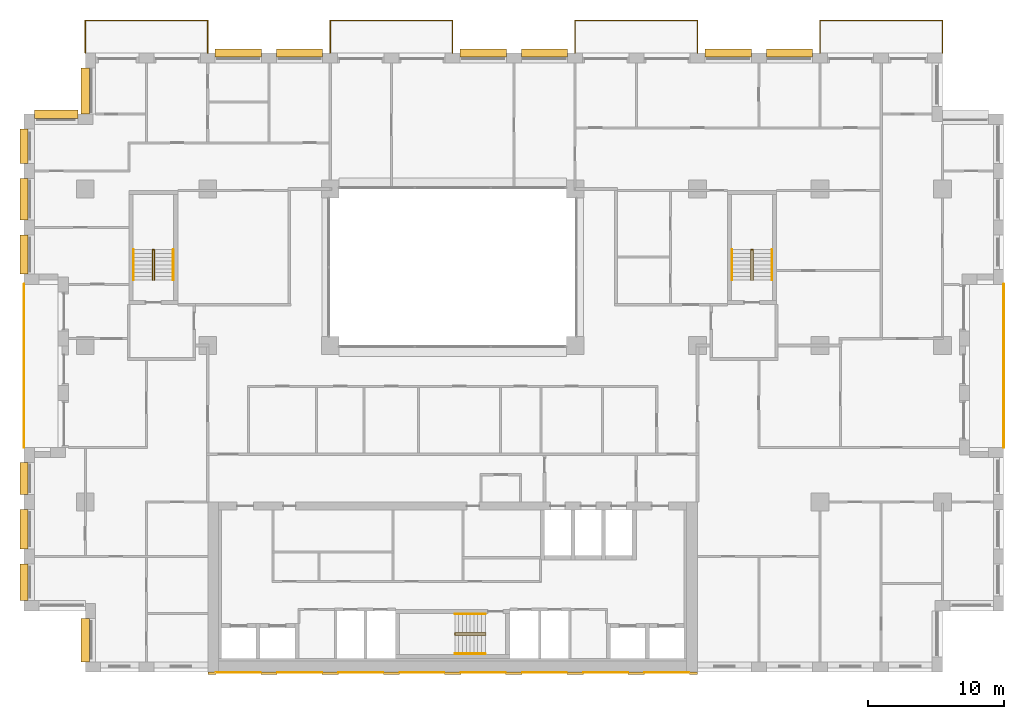
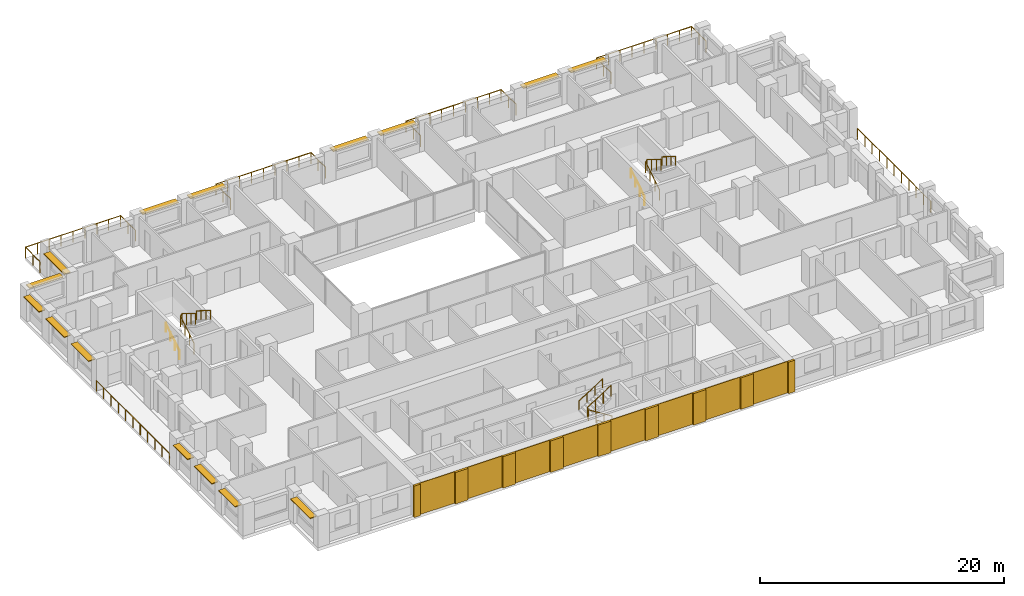
# One storey, part 16 of 17: 17 coverings, 15 railings, 15 shading devices.
"""IFC4 building model written with IfcOpenShell, lengths in metres."""

from ifc_helpers import new_model, si_unit, direction, frame, origin, origin_2d, place, context, subcontext, project, spatial, rectangle, circle, extrude, material, layer, layer_set, type_object, element, save


model = new_model("IFC4")

# Units and contexts
model_context = context("Model", 3, precision=1e-05, world=origin(), true_north=direction((0.0, 1.0)))
body_context = subcontext(model_context, "Body", "Model", "MODEL_VIEW")
ifc_project = project(units=[si_unit("LENGTHUNIT", "METRE"), si_unit("AREAUNIT", "SQUARE_METRE"), si_unit("VOLUMEUNIT", "CUBIC_METRE"), si_unit("PLANEANGLEUNIT", "RADIAN"), si_unit("MASSUNIT", "GRAM", prefix="KILO")], contexts=[model_context])

# Site, building, storey
site_placement = place(None, origin())
site = spatial("IfcSite", under=ifc_project, at=site_placement, CompositionType="ELEMENT")
building_placement = place(site_placement, origin())
building = spatial("IfcBuilding", under=site, at=building_placement, Name="Brigalow Station Residences", CompositionType="ELEMENT")
storey_placement = place(building_placement, frame((0.0, 0.0, 96.14990234375)))
storey = spatial("IfcBuildingStorey", under=building, at=storey_placement, Name="L27", CompositionType="ELEMENT", Elevation=96.14990234375)

# Railings
ifc_material_1 = material(Name="Stainless steel balustrade with laminated glass infill", Category="steel")
railing_type_1 = type_object("IfcRailingType", Name="BALCONY GUARD 1100", PredefinedType="GUARDRAIL", material=ifc_material_1)
railing_1_placement = place(storey_placement, frame((76.5, 16.5, -0.039794921875)))
element("IfcRailing", 1, at=railing_1_placement, inside=storey, type_object=railing_type_1, Name="L27/balcony-guard/1", PredefinedType="GUARDRAIL", context=body_context, shape_type="SweptSolid", body=[
    extrude(circle(Radius=0.02392578125, at=origin_2d()), frame((0.0, 0.0, 1.076171875), z_axis=(0.0, 1.0, 0.0), x_axis=(-1.0, 0.0, 0.0)), (0.0, 0.0, 1.0), 12.0),
    extrude(circle(Radius=0.02099609375, at=origin_2d()), origin(), (0.0, 0.0, 1.0), 1.052001953125),
    extrude(circle(Radius=0.02099609375, at=origin_2d()), frame((0.0, 1.199951171875, 0.0)), (0.0, 0.0, 1.0), 1.052001953125),
    extrude(circle(Radius=0.02099609375, at=origin_2d()), frame((0.0, 2.39990234375, 0.0)), (0.0, 0.0, 1.0), 1.052001953125),
    extrude(circle(Radius=0.02099609375, at=origin_2d()), frame((0.0, 3.60009765625, 0.0)), (0.0, 0.0, 1.0), 1.052001953125),
    extrude(circle(Radius=0.02099609375, at=origin_2d()), frame((0.0, 4.800048828125, 0.0)), (0.0, 0.0, 1.0), 1.052001953125),
    extrude(circle(Radius=0.02099609375, at=origin_2d()), frame((0.0, 6.0, 0.0)), (0.0, 0.0, 1.0), 1.052001953125),
    extrude(circle(Radius=0.02099609375, at=origin_2d()), frame((0.0, 7.199951171875, 0.0)), (0.0, 0.0, 1.0), 1.052001953125),
    extrude(circle(Radius=0.02099609375, at=origin_2d()), frame((0.0, 8.39990234375, 0.0)), (0.0, 0.0, 1.0), 1.052001953125),
    extrude(circle(Radius=0.02099609375, at=origin_2d()), frame((0.0, 9.60009765625, 0.0)), (0.0, 0.0, 1.0), 1.052001953125),
    extrude(circle(Radius=0.02099609375, at=origin_2d()), frame((0.0, 10.800048828125, 0.0)), (0.0, 0.0, 1.0), 1.052001953125),
    extrude(circle(Radius=0.02099609375, at=origin_2d()), frame((0.0, 12.0, 0.0)), (0.0, 0.0, 1.0), 1.052001953125),
])
railing_2_placement = place(storey_placement, frame((72.0, 45.5, -0.039794921875)))
element("IfcRailing", 2, at=railing_2_placement, inside=storey, type_object=railing_type_1, Name="L27/balcony-guard/2", PredefinedType="GUARDRAIL", context=body_context, shape_type="SweptSolid", body=[
    extrude(circle(Radius=0.02392578125, at=origin_2d()), frame((0.0, 0.0, 1.076171875), z_axis=(0.0, 1.0, 0.0), x_axis=(-1.0, 0.0, 0.0)), (0.0, 0.0, 1.0), 2.39990234375),
    extrude(circle(Radius=0.02392578125, at=origin_2d()), frame((0.0, 2.39990234375, 1.076171875), z_axis=(-1.0, 0.0, 0.0), x_axis=(0.0, -1.0, 0.0)), (0.0, 0.0, 1.0), 9.0),
    extrude(circle(Radius=0.02392578125, at=origin_2d()), frame((-9.0, 2.39990234375, 1.076171875), z_axis=(0.0, -1.0, 0.0), x_axis=(1.0, 0.0, 0.0)), (0.0, 0.0, 1.0), 2.39990234375),
    extrude(circle(Radius=0.02099609375, at=origin_2d()), origin(), (0.0, 0.0, 1.0), 1.052001953125),
    extrude(circle(Radius=0.02099609375, at=origin_2d()), frame((0.0, 1.199951171875, 0.0)), (0.0, 0.0, 1.0), 1.052001953125),
    extrude(circle(Radius=0.02099609375, at=origin_2d()), frame((0.0, 2.39990234375, 0.0)), (0.0, 0.0, 1.0), 1.052001953125),
    extrude(circle(Radius=0.02099609375, at=origin_2d()), frame((-1.125, 2.39990234375, 0.0)), (0.0, 0.0, 1.0), 1.052001953125),
    extrude(circle(Radius=0.02099609375, at=origin_2d()), frame((-2.25, 2.39990234375, 0.0)), (0.0, 0.0, 1.0), 1.052001953125),
    extrude(circle(Radius=0.02099609375, at=origin_2d()), frame((-3.375, 2.39990234375, 0.0)), (0.0, 0.0, 1.0), 1.052001953125),
    extrude(circle(Radius=0.02099609375, at=origin_2d()), frame((-4.5, 2.39990234375, 0.0)), (0.0, 0.0, 1.0), 1.052001953125),
    extrude(circle(Radius=0.02099609375, at=origin_2d()), frame((-5.625, 2.39990234375, 0.0)), (0.0, 0.0, 1.0), 1.052001953125),
    extrude(circle(Radius=0.02099609375, at=origin_2d()), frame((-6.75, 2.39990234375, 0.0)), (0.0, 0.0, 1.0), 1.052001953125),
    extrude(circle(Radius=0.02099609375, at=origin_2d()), frame((-7.875, 2.39990234375, 0.0)), (0.0, 0.0, 1.0), 1.052001953125),
    extrude(circle(Radius=0.02099609375, at=origin_2d()), frame((-9.0, 2.39990234375, 0.0)), (0.0, 0.0, 1.0), 1.052001953125),
    extrude(circle(Radius=0.02099609375, at=origin_2d()), frame((-9.0, 1.199951171875, 0.0)), (0.0, 0.0, 1.0), 1.052001953125),
    extrude(circle(Radius=0.02099609375, at=origin_2d()), frame((-9.0, 0.0, 0.0)), (0.0, 0.0, 1.0), 1.052001953125),
])
railing_3_placement = place(storey_placement, frame((54.0, 45.5, -0.039794921875)))
element("IfcRailing", 3, at=railing_3_placement, inside=storey, type_object=railing_type_1, Name="L27/balcony-guard/3", PredefinedType="GUARDRAIL", context=body_context, shape_type="SweptSolid", body=[
    extrude(circle(Radius=0.02392578125, at=origin_2d()), frame((0.0, 0.0, 1.076171875), z_axis=(0.0, 1.0, 0.0), x_axis=(-1.0, 0.0, 0.0)), (0.0, 0.0, 1.0), 2.39990234375),
    extrude(circle(Radius=0.02392578125, at=origin_2d()), frame((0.0, 2.39990234375, 1.076171875), z_axis=(-1.0, 0.0, 0.0), x_axis=(0.0, -1.0, 0.0)), (0.0, 0.0, 1.0), 9.0),
    extrude(circle(Radius=0.02392578125, at=origin_2d()), frame((-9.0, 2.39990234375, 1.076171875), z_axis=(0.0, -1.0, 0.0), x_axis=(1.0, 0.0, 0.0)), (0.0, 0.0, 1.0), 2.39990234375),
    extrude(circle(Radius=0.02099609375, at=origin_2d()), origin(), (0.0, 0.0, 1.0), 1.052001953125),
    extrude(circle(Radius=0.02099609375, at=origin_2d()), frame((0.0, 1.199951171875, 0.0)), (0.0, 0.0, 1.0), 1.052001953125),
    extrude(circle(Radius=0.02099609375, at=origin_2d()), frame((0.0, 2.39990234375, 0.0)), (0.0, 0.0, 1.0), 1.052001953125),
    extrude(circle(Radius=0.02099609375, at=origin_2d()), frame((-1.125, 2.39990234375, 0.0)), (0.0, 0.0, 1.0), 1.052001953125),
    extrude(circle(Radius=0.02099609375, at=origin_2d()), frame((-2.25, 2.39990234375, 0.0)), (0.0, 0.0, 1.0), 1.052001953125),
    extrude(circle(Radius=0.02099609375, at=origin_2d()), frame((-3.375, 2.39990234375, 0.0)), (0.0, 0.0, 1.0), 1.052001953125),
    extrude(circle(Radius=0.02099609375, at=origin_2d()), frame((-4.5, 2.39990234375, 0.0)), (0.0, 0.0, 1.0), 1.052001953125),
    extrude(circle(Radius=0.02099609375, at=origin_2d()), frame((-5.625, 2.39990234375, 0.0)), (0.0, 0.0, 1.0), 1.052001953125),
    extrude(circle(Radius=0.02099609375, at=origin_2d()), frame((-6.75, 2.39990234375, 0.0)), (0.0, 0.0, 1.0), 1.052001953125),
    extrude(circle(Radius=0.02099609375, at=origin_2d()), frame((-7.875, 2.39990234375, 0.0)), (0.0, 0.0, 1.0), 1.052001953125),
    extrude(circle(Radius=0.02099609375, at=origin_2d()), frame((-9.0, 2.39990234375, 0.0)), (0.0, 0.0, 1.0), 1.052001953125),
    extrude(circle(Radius=0.02099609375, at=origin_2d()), frame((-9.0, 1.199951171875, 0.0)), (0.0, 0.0, 1.0), 1.052001953125),
    extrude(circle(Radius=0.02099609375, at=origin_2d()), frame((-9.0, 0.0, 0.0)), (0.0, 0.0, 1.0), 1.052001953125),
])
railing_4_placement = place(storey_placement, frame((36.0, 45.5, -0.039794921875)))
element("IfcRailing", 4, at=railing_4_placement, inside=storey, type_object=railing_type_1, Name="L27/balcony-guard/4", PredefinedType="GUARDRAIL", context=body_context, shape_type="SweptSolid", body=[
    extrude(circle(Radius=0.02392578125, at=origin_2d()), frame((0.0, 0.0, 1.076171875), z_axis=(0.0, 1.0, 0.0), x_axis=(-1.0, 0.0, 0.0)), (0.0, 0.0, 1.0), 2.39990234375),
    extrude(circle(Radius=0.02392578125, at=origin_2d()), frame((0.0, 2.39990234375, 1.076171875), z_axis=(-1.0, 0.0, 0.0), x_axis=(0.0, -1.0, 0.0)), (0.0, 0.0, 1.0), 9.0),
    extrude(circle(Radius=0.02392578125, at=origin_2d()), frame((-9.0, 2.39990234375, 1.076171875), z_axis=(0.0, -1.0, 0.0), x_axis=(1.0, 0.0, 0.0)), (0.0, 0.0, 1.0), 2.39990234375),
    extrude(circle(Radius=0.02099609375, at=origin_2d()), origin(), (0.0, 0.0, 1.0), 1.052001953125),
    extrude(circle(Radius=0.02099609375, at=origin_2d()), frame((0.0, 1.199951171875, 0.0)), (0.0, 0.0, 1.0), 1.052001953125),
    extrude(circle(Radius=0.02099609375, at=origin_2d()), frame((0.0, 2.39990234375, 0.0)), (0.0, 0.0, 1.0), 1.052001953125),
    extrude(circle(Radius=0.02099609375, at=origin_2d()), frame((-1.125, 2.39990234375, 0.0)), (0.0, 0.0, 1.0), 1.052001953125),
    extrude(circle(Radius=0.02099609375, at=origin_2d()), frame((-2.25, 2.39990234375, 0.0)), (0.0, 0.0, 1.0), 1.052001953125),
    extrude(circle(Radius=0.02099609375, at=origin_2d()), frame((-3.375, 2.39990234375, 0.0)), (0.0, 0.0, 1.0), 1.052001953125),
    extrude(circle(Radius=0.02099609375, at=origin_2d()), frame((-4.5, 2.39990234375, 0.0)), (0.0, 0.0, 1.0), 1.052001953125),
    extrude(circle(Radius=0.02099609375, at=origin_2d()), frame((-5.625, 2.39990234375, 0.0)), (0.0, 0.0, 1.0), 1.052001953125),
    extrude(circle(Radius=0.02099609375, at=origin_2d()), frame((-6.75, 2.39990234375, 0.0)), (0.0, 0.0, 1.0), 1.052001953125),
    extrude(circle(Radius=0.02099609375, at=origin_2d()), frame((-7.875, 2.39990234375, 0.0)), (0.0, 0.0, 1.0), 1.052001953125),
    extrude(circle(Radius=0.02099609375, at=origin_2d()), frame((-9.0, 2.39990234375, 0.0)), (0.0, 0.0, 1.0), 1.052001953125),
    extrude(circle(Radius=0.02099609375, at=origin_2d()), frame((-9.0, 1.199951171875, 0.0)), (0.0, 0.0, 1.0), 1.052001953125),
    extrude(circle(Radius=0.02099609375, at=origin_2d()), frame((-9.0, 0.0, 0.0)), (0.0, 0.0, 1.0), 1.052001953125),
])
railing_5_placement = place(storey_placement, frame((18.0, 45.5, -0.039794921875)))
element("IfcRailing", 5, at=railing_5_placement, inside=storey, type_object=railing_type_1, Name="L27/balcony-guard/5", PredefinedType="GUARDRAIL", context=body_context, shape_type="SweptSolid", body=[
    extrude(circle(Radius=0.02392578125, at=origin_2d()), frame((0.0, 0.0, 1.076171875), z_axis=(0.0, 1.0, 0.0), x_axis=(-1.0, 0.0, 0.0)), (0.0, 0.0, 1.0), 2.39990234375),
    extrude(circle(Radius=0.02392578125, at=origin_2d()), frame((0.0, 2.39990234375, 1.076171875), z_axis=(-1.0, 0.0, 0.0), x_axis=(0.0, -1.0, 0.0)), (0.0, 0.0, 1.0), 9.0),
    extrude(circle(Radius=0.02392578125, at=origin_2d()), frame((-9.0, 2.39990234375, 1.076171875), z_axis=(0.0, -1.0, 0.0), x_axis=(1.0, 0.0, 0.0)), (0.0, 0.0, 1.0), 2.39990234375),
    extrude(circle(Radius=0.02099609375, at=origin_2d()), origin(), (0.0, 0.0, 1.0), 1.052001953125),
    extrude(circle(Radius=0.02099609375, at=origin_2d()), frame((0.0, 1.199951171875, 0.0)), (0.0, 0.0, 1.0), 1.052001953125),
    extrude(circle(Radius=0.02099609375, at=origin_2d()), frame((0.0, 2.39990234375, 0.0)), (0.0, 0.0, 1.0), 1.052001953125),
    extrude(circle(Radius=0.02099609375, at=origin_2d()), frame((-1.125, 2.39990234375, 0.0)), (0.0, 0.0, 1.0), 1.052001953125),
    extrude(circle(Radius=0.02099609375, at=origin_2d()), frame((-2.25, 2.39990234375, 0.0)), (0.0, 0.0, 1.0), 1.052001953125),
    extrude(circle(Radius=0.02099609375, at=origin_2d()), frame((-3.375, 2.39990234375, 0.0)), (0.0, 0.0, 1.0), 1.052001953125),
    extrude(circle(Radius=0.02099609375, at=origin_2d()), frame((-4.5, 2.39990234375, 0.0)), (0.0, 0.0, 1.0), 1.052001953125),
    extrude(circle(Radius=0.02099609375, at=origin_2d()), frame((-5.625, 2.39990234375, 0.0)), (0.0, 0.0, 1.0), 1.052001953125),
    extrude(circle(Radius=0.02099609375, at=origin_2d()), frame((-6.75, 2.39990234375, 0.0)), (0.0, 0.0, 1.0), 1.052001953125),
    extrude(circle(Radius=0.02099609375, at=origin_2d()), frame((-7.875, 2.39990234375, 0.0)), (0.0, 0.0, 1.0), 1.052001953125),
    extrude(circle(Radius=0.02099609375, at=origin_2d()), frame((-9.0, 2.39990234375, 0.0)), (0.0, 0.0, 1.0), 1.052001953125),
    extrude(circle(Radius=0.02099609375, at=origin_2d()), frame((-9.0, 1.199951171875, 0.0)), (0.0, 0.0, 1.0), 1.052001953125),
    extrude(circle(Radius=0.02099609375, at=origin_2d()), frame((-9.0, 0.0, 0.0)), (0.0, 0.0, 1.0), 1.052001953125),
])
railing_6_placement = place(storey_placement, frame((4.5, 28.5, -0.039794921875)))
element("IfcRailing", 6, at=railing_6_placement, inside=storey, type_object=railing_type_1, Name="L27/balcony-guard/6", PredefinedType="GUARDRAIL", context=body_context, shape_type="SweptSolid", body=[
    extrude(circle(Radius=0.02392578125, at=origin_2d()), frame((0.0, 0.0, 1.076171875), z_axis=(0.0, -1.0, 0.0), x_axis=(1.0, 0.0, 0.0)), (0.0, 0.0, 1.0), 12.0),
    extrude(circle(Radius=0.02099609375, at=origin_2d()), origin(), (0.0, 0.0, 1.0), 1.052001953125),
    extrude(circle(Radius=0.02099609375, at=origin_2d()), frame((0.0, -1.199951171875, 0.0)), (0.0, 0.0, 1.0), 1.052001953125),
    extrude(circle(Radius=0.02099609375, at=origin_2d()), frame((0.0, -2.39990234375, 0.0)), (0.0, 0.0, 1.0), 1.052001953125),
    extrude(circle(Radius=0.02099609375, at=origin_2d()), frame((0.0, -3.60009765625, 0.0)), (0.0, 0.0, 1.0), 1.052001953125),
    extrude(circle(Radius=0.02099609375, at=origin_2d()), frame((0.0, -4.800048828125, 0.0)), (0.0, 0.0, 1.0), 1.052001953125),
    extrude(circle(Radius=0.02099609375, at=origin_2d()), frame((0.0, -6.0, 0.0)), (0.0, 0.0, 1.0), 1.052001953125),
    extrude(circle(Radius=0.02099609375, at=origin_2d()), frame((0.0, -7.199951171875, 0.0)), (0.0, 0.0, 1.0), 1.052001953125),
    extrude(circle(Radius=0.02099609375, at=origin_2d()), frame((0.0, -8.39990234375, 0.0)), (0.0, 0.0, 1.0), 1.052001953125),
    extrude(circle(Radius=0.02099609375, at=origin_2d()), frame((0.0, -9.60009765625, 0.0)), (0.0, 0.0, 1.0), 1.052001953125),
    extrude(circle(Radius=0.02099609375, at=origin_2d()), frame((0.0, -10.800048828125, 0.0)), (0.0, 0.0, 1.0), 1.052001953125),
    extrude(circle(Radius=0.02099609375, at=origin_2d()), frame((0.0, -12.0, 0.0)), (0.0, 0.0, 1.0), 1.052001953125),
])

# Coverings
ifc_material_2 = material(Name="Clay brick masonry", Category="masonry")
ifc_layer_1 = layer(ifc_material_2, 0.06005859375)
ifc_layer_set_1 = layer_set([ifc_layer_1], Name="BRICK PANEL FACING 60")
covering_type_1 = type_object("IfcCoveringType", Name="BRICK PANEL FACING 60", PredefinedType="CLADDING", material=ifc_layer_set_1)
for number, where, z_axis, x_axis, name in (
    (7, (20.25, -0.030029296875, 0.000244140625), (0.0, 0.0, 1.0), (1.0, 0.0, 0.0), "L27/rear-facing/panel-1"),
    (8, (24.75, -0.030029296875, 0.000244140625), (0.0, 0.0, 1.0), (1.0, 0.0, 0.0), "L27/rear-facing/panel-2"),
    (9, (29.25, -0.030029296875, 0.000244140625), (0.0, 0.0, 1.0), (1.0, 0.0, 0.0), "L27/rear-facing/panel-3"),
    (10, (33.75, -0.030029296875, 0.000244140625), (0.0, 0.0, 1.0), (1.0, 0.0, 0.0), "L27/rear-facing/panel-4"),
    (11, (38.25, -0.030029296875, 0.000244140625), (0.0, 0.0, 1.0), (1.0, 0.0, 0.0), "L27/rear-facing/panel-5"),
    (12, (42.75, -0.030029296875, 0.000244140625), (0.0, 0.0, 1.0), (1.0, 0.0, 0.0), "L27/rear-facing/panel-6"),
    (13, (47.25, -0.030029296875, 0.000244140625), (0.0, 0.0, 1.0), (1.0, 0.0, 0.0), "L27/rear-facing/panel-7"),
    (14, (51.75, -0.030029296875, 0.000244140625), (0.0, 0.0, 1.0), (1.0, 0.0, 0.0), "L27/rear-facing/panel-8"),
):
    element("IfcCovering", number, at=place(storey_placement, frame(where, z_axis=z_axis, x_axis=x_axis)), inside=storey, type_object=covering_type_1, Name=name, PredefinedType="CLADDING", context=body_context, shape_type="SweptSolid", body=[
        extrude(rectangle(XDim=3.300048828125, YDim=0.06005859375, at=origin_2d()), origin(), (0.0, 0.0, 1.0), 3.14990234375),
    ])
ifc_material_3 = material(Name="Clay brick masonry", Category="masonry")
ifc_layer_2 = layer(ifc_material_3, 0.199951171875)
ifc_layer_set_2 = layer_set([ifc_layer_2], Name="BRICK PIER FACING 200")
covering_type_2 = type_object("IfcCoveringType", Name="BRICK PIER FACING 200", PredefinedType="CLADDING", material=ifc_layer_set_2)
covering_1_placement = place(storey_placement, frame((18.300048828125, -0.10009765625, 0.000244140625), z_axis=(0.0, 0.0, 1.0), x_axis=(1.0, 0.0, 0.0)))
element("IfcCovering", 15, at=covering_1_placement, inside=storey, type_object=covering_type_2, Name="L27/rear-facing/pier-1", PredefinedType="CLADDING", context=body_context, shape_type="SweptSolid", body=[
    extrude(rectangle(XDim=0.60009765625, YDim=0.199951171875, at=origin_2d()), origin(), (0.0, 0.0, 1.0), 3.14990234375),
])
for number, where, z_axis, x_axis, name in (
    (16, (22.5, -0.10009765625, 0.000244140625), (0.0, 0.0, 1.0), (1.0, 0.0, 0.0), "L27/rear-facing/pier-2"),
    (17, (27.0, -0.10009765625, 0.000244140625), (0.0, 0.0, 1.0), (1.0, 0.0, 0.0), "L27/rear-facing/pier-3"),
    (18, (31.5, -0.10009765625, 0.000244140625), (0.0, 0.0, 1.0), (1.0, 0.0, 0.0), "L27/rear-facing/pier-4"),
    (19, (36.0, -0.10009765625, 0.000244140625), (0.0, 0.0, 1.0), (1.0, 0.0, 0.0), "L27/rear-facing/pier-5"),
    (20, (40.5, -0.10009765625, 0.000244140625), (0.0, 0.0, 1.0), (1.0, 0.0, 0.0), "L27/rear-facing/pier-6"),
    (21, (45.0, -0.10009765625, 0.000244140625), (0.0, 0.0, 1.0), (1.0, 0.0, 0.0), "L27/rear-facing/pier-7"),
    (22, (49.5, -0.10009765625, 0.000244140625), (0.0, 0.0, 1.0), (1.0, 0.0, 0.0), "L27/rear-facing/pier-8"),
):
    element("IfcCovering", number, at=place(storey_placement, frame(where, z_axis=z_axis, x_axis=x_axis)), inside=storey, type_object=covering_type_2, Name=name, PredefinedType="CLADDING", context=body_context, shape_type="SweptSolid", body=[
        extrude(rectangle(XDim=1.199951171875, YDim=0.199951171875, at=origin_2d()), origin(), (0.0, 0.0, 1.0), 3.14990234375),
    ])
covering_2_placement = place(storey_placement, frame((53.699951171875, -0.10009765625, 0.000244140625), z_axis=(0.0, 0.0, 1.0), x_axis=(1.0, 0.0, 0.0)))
element("IfcCovering", 23, at=covering_2_placement, inside=storey, type_object=covering_type_2, Name="L27/rear-facing/pier-9", PredefinedType="CLADDING", context=body_context, shape_type="SweptSolid", body=[
    extrude(rectangle(XDim=0.60009765625, YDim=0.199951171875, at=origin_2d()), origin(), (0.0, 0.0, 1.0), 3.14990234375),
])

# Railings
ifc_material_4 = material(Name="Stainless steel balustrade", Category="steel")
railing_type_2 = type_object("IfcRailingType", Name="STAIR GUARD 1100", PredefinedType="GUARDRAIL", material=ifc_material_4)
railing_7_placement = place(storey_placement, frame((38.39990234375, 2.72998046875, 0.175048828125)))
element("IfcRailing", 24, at=railing_7_placement, inside=storey, type_object=railing_type_2, Name="GUARD GR-2", PredefinedType="GUARDRAIL", context=body_context, shape_type="SweptSolid", body=[
    extrude(circle(Radius=0.02392578125, at=origin_2d()), frame((0.0, 0.0, 1.076171875), z_axis=(-0.847972341737, 0.0, 0.530040477369), x_axis=(0.0, -1.0, 0.0)), (0.0, 0.0, 1.0), 2.6416015625),
    extrude(circle(Radius=0.02392578125, at=origin_2d()), frame((-2.239990234375, 0.0, 2.47607421875), z_axis=(0.0, 0.62549206879, 0.780230524833), x_axis=(-1.0, 0.0, 0.0)), (0.0, 0.0, 1.0), 0.22412109375),
    extrude(circle(Radius=0.02392578125, at=origin_2d()), frame((-2.239990234375, 0.14013671875, 2.65087890625), z_axis=(0.847972341737, 0.0, 0.530040477369), x_axis=(0.0, 1.0, 0.0)), (0.0, 0.0, 1.0), 2.6416015625),
    extrude(circle(Radius=0.02099609375, at=origin_2d()), origin(), (0.0, 0.0, 1.0), 1.052001953125),
    extrude(circle(Radius=0.02099609375, at=origin_2d()), frame((-0.74658203125, 0.0, 0.466796875)), (0.0, 0.0, 1.0), 1.052001953125),
    extrude(circle(Radius=0.02099609375, at=origin_2d()), frame((-1.493408203125, 0.0, 0.933349609375)), (0.0, 0.0, 1.0), 1.052001953125),
    extrude(circle(Radius=0.02099609375, at=origin_2d()), frame((-2.239990234375, 0.0, 1.400146484375)), (0.0, 0.0, 1.0), 1.052001953125),
    extrude(circle(Radius=0.02099609375, at=origin_2d()), frame((-2.239990234375, 0.14013671875, 1.574951171875)), (0.0, 0.0, 1.0), 1.052001953125),
    extrude(circle(Radius=0.02099609375, at=origin_2d()), frame((-1.493408203125, 0.14013671875, 2.041748046875)), (0.0, 0.0, 1.0), 1.052001953125),
    extrude(circle(Radius=0.02099609375, at=origin_2d()), frame((-0.74658203125, 0.14013671875, 2.50830078125)), (0.0, 0.0, 1.0), 1.052001953125),
    extrude(circle(Radius=0.02099609375, at=origin_2d()), frame((0.0, 0.14013671875, 2.97509765625)), (0.0, 0.0, 1.0), 1.052001953125),
])
for number, where, name in (
    (25, (13.929931640625, 28.800048828125, 0.175048828125), "GUARD GR-1"),
    (26, (57.929931640625, 28.800048828125, 0.175048828125), "GUARD GR-3"),
):
    element("IfcRailing", number, at=place(storey_placement, frame(where)), inside=storey, type_object=railing_type_2, Name=name, PredefinedType="GUARDRAIL", context=body_context, shape_type="SweptSolid", body=[
        extrude(circle(Radius=0.02392578125, at=origin_2d()), frame((0.0, 0.0, 1.076171875), z_axis=(0.0, 0.847972341737, 0.530040477369), x_axis=(-1.0, 0.0, 0.0)), (0.0, 0.0, 1.0), 2.6416015625),
        extrude(circle(Radius=0.02392578125, at=origin_2d()), frame((0.0, 2.239990234375, 2.47607421875), z_axis=(0.62549206879, 0.0, 0.780230524833), x_axis=(0.0, 1.0, 0.0)), (0.0, 0.0, 1.0), 0.22412109375),
        extrude(circle(Radius=0.02392578125, at=origin_2d()), frame((0.14013671875, 2.239990234375, 2.65087890625), z_axis=(0.0, -0.847972341737, 0.530040477369), x_axis=(1.0, 0.0, 0.0)), (0.0, 0.0, 1.0), 2.6416015625),
        extrude(circle(Radius=0.02099609375, at=origin_2d()), origin(), (0.0, 0.0, 1.0), 1.052001953125),
        extrude(circle(Radius=0.02099609375, at=origin_2d()), frame((0.0, 0.74658203125, 0.466796875)), (0.0, 0.0, 1.0), 1.052001953125),
        extrude(circle(Radius=0.02099609375, at=origin_2d()), frame((0.0, 1.493408203125, 0.933349609375)), (0.0, 0.0, 1.0), 1.052001953125),
        extrude(circle(Radius=0.02099609375, at=origin_2d()), frame((0.0, 2.239990234375, 1.400146484375)), (0.0, 0.0, 1.0), 1.052001953125),
        extrude(circle(Radius=0.02099609375, at=origin_2d()), frame((0.14013671875, 2.239990234375, 1.574951171875)), (0.0, 0.0, 1.0), 1.052001953125),
        extrude(circle(Radius=0.02099609375, at=origin_2d()), frame((0.14013671875, 1.493408203125, 2.041748046875)), (0.0, 0.0, 1.0), 1.052001953125),
        extrude(circle(Radius=0.02099609375, at=origin_2d()), frame((0.14013671875, 0.74658203125, 2.50830078125)), (0.0, 0.0, 1.0), 1.052001953125),
        extrude(circle(Radius=0.02099609375, at=origin_2d()), frame((0.14013671875, 0.0, 2.97509765625)), (0.0, 0.0, 1.0), 1.052001953125),
    ])
ifc_material_5 = material(Name="Stainless steel handrail", Category="steel")
railing_type_3 = type_object("IfcRailingType", Name="STAIR HANDRAIL 900", PredefinedType="HANDRAIL", material=ifc_material_5)
railing_8_placement = place(storey_placement, frame((38.39990234375, 1.340087890625, 0.175048828125)))
element("IfcRailing", 27, at=railing_8_placement, inside=storey, type_object=railing_type_3, Name="HANDRAIL HR-21", PredefinedType="HANDRAIL", context=body_context, shape_type="SweptSolid", body=[
    extrude(circle(Radius=0.02392578125, at=origin_2d()), frame((0.0, 0.0, 0.8759765625), z_axis=(-0.847972341737, 0.0, 0.530040477369), x_axis=(0.0, -1.0, 0.0)), (0.0, 0.0, 1.0), 2.6416015625),
    extrude(circle(Radius=0.02099609375, at=origin_2d()), origin(), (0.0, 0.0, 1.0), 0.851806640625),
    extrude(circle(Radius=0.02099609375, at=origin_2d()), frame((-0.74658203125, 0.0, 0.466796875)), (0.0, 0.0, 1.0), 0.851806640625),
    extrude(circle(Radius=0.02099609375, at=origin_2d()), frame((-1.493408203125, 0.0, 0.933349609375)), (0.0, 0.0, 1.0), 0.851806640625),
    extrude(circle(Radius=0.02099609375, at=origin_2d()), frame((-2.239990234375, 0.0, 1.400146484375)), (0.0, 0.0, 1.0), 0.851806640625),
])
railing_9_placement = place(storey_placement, frame((36.159912109375, 4.260009765625, 1.75)))
element("IfcRailing", 28, at=railing_9_placement, inside=storey, type_object=railing_type_3, Name="HANDRAIL HR-22", PredefinedType="HANDRAIL", context=body_context, shape_type="SweptSolid", body=[
    extrude(circle(Radius=0.02392578125, at=origin_2d()), frame((0.0, 0.0, 0.8759765625), z_axis=(0.847972341737, 0.0, 0.530040477369), x_axis=(0.0, 1.0, 0.0)), (0.0, 0.0, 1.0), 2.6416015625),
    extrude(circle(Radius=0.02099609375, at=origin_2d()), origin(), (0.0, 0.0, 1.0), 0.851806640625),
    extrude(circle(Radius=0.02099609375, at=origin_2d()), frame((0.74658203125, 0.0, 0.466796875)), (0.0, 0.0, 1.0), 0.851806640625),
    extrude(circle(Radius=0.02099609375, at=origin_2d()), frame((1.493408203125, 0.0, 0.933349609375)), (0.0, 0.0, 1.0), 0.851806640625),
    extrude(circle(Radius=0.02099609375, at=origin_2d()), frame((2.239990234375, 0.0, 1.400146484375)), (0.0, 0.0, 1.0), 0.851806640625),
])
railing_10_placement = place(storey_placement, frame((12.5400390625, 28.800048828125, 0.175048828125)))
element("IfcRailing", 29, at=railing_10_placement, inside=storey, type_object=railing_type_3, Name="HANDRAIL HR-11", PredefinedType="HANDRAIL", context=body_context, shape_type="SweptSolid", body=[
    extrude(circle(Radius=0.02392578125, at=origin_2d()), frame((0.0, 0.0, 0.8759765625), z_axis=(0.0, 0.847972341737, 0.530040477369), x_axis=(-1.0, 0.0, 0.0)), (0.0, 0.0, 1.0), 2.6416015625),
    extrude(circle(Radius=0.02099609375, at=origin_2d()), origin(), (0.0, 0.0, 1.0), 0.851806640625),
    extrude(circle(Radius=0.02099609375, at=origin_2d()), frame((0.0, 0.74658203125, 0.466796875)), (0.0, 0.0, 1.0), 0.851806640625),
    extrude(circle(Radius=0.02099609375, at=origin_2d()), frame((0.0, 1.493408203125, 0.933349609375)), (0.0, 0.0, 1.0), 0.851806640625),
    extrude(circle(Radius=0.02099609375, at=origin_2d()), frame((0.0, 2.239990234375, 1.400146484375)), (0.0, 0.0, 1.0), 0.851806640625),
])
railing_11_placement = place(storey_placement, frame((15.4599609375, 31.0400390625, 1.75)))
element("IfcRailing", 30, at=railing_11_placement, inside=storey, type_object=railing_type_3, Name="HANDRAIL HR-12", PredefinedType="HANDRAIL", context=body_context, shape_type="SweptSolid", body=[
    extrude(circle(Radius=0.02392578125, at=origin_2d()), frame((0.0, 0.0, 0.8759765625), z_axis=(0.0, -0.847972341737, 0.530040477369), x_axis=(1.0, 0.0, 0.0)), (0.0, 0.0, 1.0), 2.6416015625),
    extrude(circle(Radius=0.02099609375, at=origin_2d()), origin(), (0.0, 0.0, 1.0), 0.851806640625),
    extrude(circle(Radius=0.02099609375, at=origin_2d()), frame((0.0, -0.74658203125, 0.466796875)), (0.0, 0.0, 1.0), 0.851806640625),
    extrude(circle(Radius=0.02099609375, at=origin_2d()), frame((0.0, -1.493408203125, 0.933349609375)), (0.0, 0.0, 1.0), 0.851806640625),
    extrude(circle(Radius=0.02099609375, at=origin_2d()), frame((0.0, -2.239990234375, 1.400146484375)), (0.0, 0.0, 1.0), 0.851806640625),
])
railing_12_placement = place(storey_placement, frame((56.5400390625, 28.800048828125, 0.175048828125)))
element("IfcRailing", 31, at=railing_12_placement, inside=storey, type_object=railing_type_3, Name="HANDRAIL HR-31", PredefinedType="HANDRAIL", context=body_context, shape_type="SweptSolid", body=[
    extrude(circle(Radius=0.02392578125, at=origin_2d()), frame((0.0, 0.0, 0.8759765625), z_axis=(0.0, 0.847972341737, 0.530040477369), x_axis=(-1.0, 0.0, 0.0)), (0.0, 0.0, 1.0), 2.6416015625),
    extrude(circle(Radius=0.02099609375, at=origin_2d()), origin(), (0.0, 0.0, 1.0), 0.851806640625),
    extrude(circle(Radius=0.02099609375, at=origin_2d()), frame((0.0, 0.74658203125, 0.466796875)), (0.0, 0.0, 1.0), 0.851806640625),
    extrude(circle(Radius=0.02099609375, at=origin_2d()), frame((0.0, 1.493408203125, 0.933349609375)), (0.0, 0.0, 1.0), 0.851806640625),
    extrude(circle(Radius=0.02099609375, at=origin_2d()), frame((0.0, 2.239990234375, 1.400146484375)), (0.0, 0.0, 1.0), 0.851806640625),
])
railing_13_placement = place(storey_placement, frame((59.4599609375, 31.0400390625, 1.75)))
element("IfcRailing", 32, at=railing_13_placement, inside=storey, type_object=railing_type_3, Name="HANDRAIL HR-32", PredefinedType="HANDRAIL", context=body_context, shape_type="SweptSolid", body=[
    extrude(circle(Radius=0.02392578125, at=origin_2d()), frame((0.0, 0.0, 0.8759765625), z_axis=(0.0, -0.847972341737, 0.530040477369), x_axis=(1.0, 0.0, 0.0)), (0.0, 0.0, 1.0), 2.6416015625),
    extrude(circle(Radius=0.02099609375, at=origin_2d()), origin(), (0.0, 0.0, 1.0), 0.851806640625),
    extrude(circle(Radius=0.02099609375, at=origin_2d()), frame((0.0, -0.74658203125, 0.466796875)), (0.0, 0.0, 1.0), 0.851806640625),
    extrude(circle(Radius=0.02099609375, at=origin_2d()), frame((0.0, -1.493408203125, 0.933349609375)), (0.0, 0.0, 1.0), 0.851806640625),
    extrude(circle(Radius=0.02099609375, at=origin_2d()), frame((0.0, -2.239990234375, 1.400146484375)), (0.0, 0.0, 1.0), 0.851806640625),
])

# Shading devices
ifc_material_6 = material(Name="Powder-coated extruded aluminium blade", Category="aluminium")
ifc_layer_3 = layer(ifc_material_6, 0.080078125)
ifc_layer_set_3 = layer_set([ifc_layer_3], Name="SUNSHADE BLADE 600x80")
shading_device_type = type_object("IfcShadingDeviceType", Name="SUNSHADE BLADE 600x80", PredefinedType="JALOUSIE", material=ifc_layer_set_3)
for number, where, z_axis, x_axis, name in (
    (33, (60.75, 45.5, 2.550048828125), (0.0, 0.0, 1.0), (-1.0, 0.0, 0.0), "L27/blade/W-L27-25"),
    (34, (56.25, 45.5, 2.550048828125), (0.0, 0.0, 1.0), (-1.0, 0.0, 0.0), "L27/blade/W-L27-26"),
    (35, (42.75, 45.5, 2.550048828125), (0.0, 0.0, 1.0), (-1.0, 0.0, 0.0), "L27/blade/W-L27-29"),
    (36, (38.25, 45.5, 2.550048828125), (0.0, 0.0, 1.0), (-1.0, 0.0, 0.0), "L27/blade/W-L27-30"),
    (37, (24.75, 45.5, 2.550048828125), (0.0, 0.0, 1.0), (-1.0, 0.0, 0.0), "L27/blade/W-L27-33"),
    (38, (20.25, 45.5, 2.550048828125), (0.0, 0.0, 1.0), (-1.0, 0.0, 0.0), "L27/blade/W-L27-34"),
    (39, (9.0, 42.699951171875, 2.550048828125), (0.0, 0.0, 1.0), (0.0, -1.0, 0.0), "L27/blade/W-L27-37"),
):
    element("IfcShadingDevice", number, at=place(storey_placement, frame(where, z_axis=z_axis, x_axis=x_axis)), inside=storey, type_object=shading_device_type, Name=name, PredefinedType="JALOUSIE", context=body_context, shape_type="SweptSolid", body=[
        extrude(rectangle(XDim=3.39990234375, YDim=0.60009765625, at=origin_2d()), origin(), (0.0, 0.0, 1.0), 0.080078125),
    ])
shading_device_1_placement = place(storey_placement, frame((6.85009765625, 41.0, 2.550048828125), z_axis=(0.0, 0.0, 1.0), x_axis=(-1.0, 0.0, 0.0)))
element("IfcShadingDevice", 40, at=shading_device_1_placement, inside=storey, type_object=shading_device_type, Name="L27/blade/W-L27-38", PredefinedType="JALOUSIE", context=body_context, shape_type="SweptSolid", body=[
    extrude(rectangle(XDim=3.199951171875, YDim=0.60009765625, at=origin_2d()), origin(), (0.0, 0.0, 1.0), 0.080078125),
])
shading_device_2_placement = place(storey_placement, frame((4.5, 38.6416015625, 2.550048828125), z_axis=(0.0, 0.0, 1.0), x_axis=(0.0, -1.0, 0.0)))
element("IfcShadingDevice", 41, at=shading_device_2_placement, inside=storey, type_object=shading_device_type, Name="L27/blade/W-L27-39", PredefinedType="JALOUSIE", context=body_context, shape_type="SweptSolid", body=[
    extrude(rectangle(XDim=2.51708984375, YDim=0.60009765625, at=origin_2d()), origin(), (0.0, 0.0, 1.0), 0.080078125),
])
shading_device_3_placement = place(storey_placement, frame((4.5, 34.75, 2.550048828125), z_axis=(0.0, 0.0, 1.0), x_axis=(0.0, -1.0, 0.0)))
element("IfcShadingDevice", 42, at=shading_device_3_placement, inside=storey, type_object=shading_device_type, Name="L27/blade/W-L27-40", PredefinedType="JALOUSIE", context=body_context, shape_type="SweptSolid", body=[
    extrude(rectangle(XDim=3.06591796875, YDim=0.60009765625, at=origin_2d()), origin(), (0.0, 0.0, 1.0), 0.080078125),
])
shading_device_4_placement = place(storey_placement, frame((4.5, 30.68359375, 2.550048828125), z_axis=(0.0, 0.0, 1.0), x_axis=(0.0, -1.0, 0.0)))
element("IfcShadingDevice", 43, at=shading_device_4_placement, inside=storey, type_object=shading_device_type, Name="L27/blade/W-L27-41", PredefinedType="JALOUSIE", context=body_context, shape_type="SweptSolid", body=[
    extrude(rectangle(XDim=2.866943359375, YDim=0.60009765625, at=origin_2d()), origin(), (0.0, 0.0, 1.0), 0.080078125),
])
shading_device_5_placement = place(storey_placement, frame((4.5, 14.22509765625, 2.550048828125), z_axis=(0.0, 0.0, 1.0), x_axis=(0.0, -1.0, 0.0)))
element("IfcShadingDevice", 44, at=shading_device_5_placement, inside=storey, type_object=shading_device_type, Name="L27/blade/W-L27-47", PredefinedType="JALOUSIE", context=body_context, shape_type="SweptSolid", body=[
    extrude(rectangle(XDim=2.35009765625, YDim=0.60009765625, at=origin_2d()), origin(), (0.0, 0.0, 1.0), 0.080078125),
])
shading_device_6_placement = place(storey_placement, frame((4.5, 10.5, 2.550048828125), z_axis=(0.0, 0.0, 1.0), x_axis=(0.0, -1.0, 0.0)))
element("IfcShadingDevice", 45, at=shading_device_6_placement, inside=storey, type_object=shading_device_type, Name="L27/blade/W-L27-48", PredefinedType="JALOUSIE", context=body_context, shape_type="SweptSolid", body=[
    extrude(rectangle(XDim=2.89990234375, YDim=0.60009765625, at=origin_2d()), origin(), (0.0, 0.0, 1.0), 0.080078125),
])
shading_device_7_placement = place(storey_placement, frame((4.5, 6.60009765625, 2.550048828125), z_axis=(0.0, 0.0, 1.0), x_axis=(0.0, -1.0, 0.0)))
element("IfcShadingDevice", 46, at=shading_device_7_placement, inside=storey, type_object=shading_device_type, Name="L27/blade/W-L27-49", PredefinedType="JALOUSIE", context=body_context, shape_type="SweptSolid", body=[
    extrude(rectangle(XDim=2.699951171875, YDim=0.60009765625, at=origin_2d()), origin(), (0.0, 0.0, 1.0), 0.080078125),
])
shading_device_8_placement = place(storey_placement, frame((9.0, 2.35009765625, 2.550048828125), z_axis=(0.0, 0.0, 1.0), x_axis=(0.0, -1.0, 0.0)))
element("IfcShadingDevice", 47, at=shading_device_8_placement, inside=storey, type_object=shading_device_type, Name="L27/blade/W-L27-51", PredefinedType="JALOUSIE", context=body_context, shape_type="SweptSolid", body=[
    extrude(rectangle(XDim=3.199951171875, YDim=0.60009765625, at=origin_2d()), origin(), (0.0, 0.0, 1.0), 0.080078125),
])

save(model, "model.ifc")
